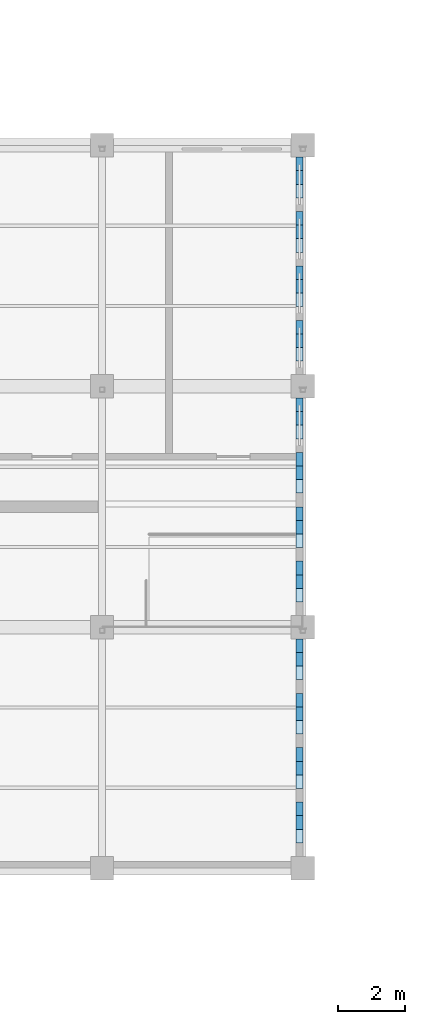
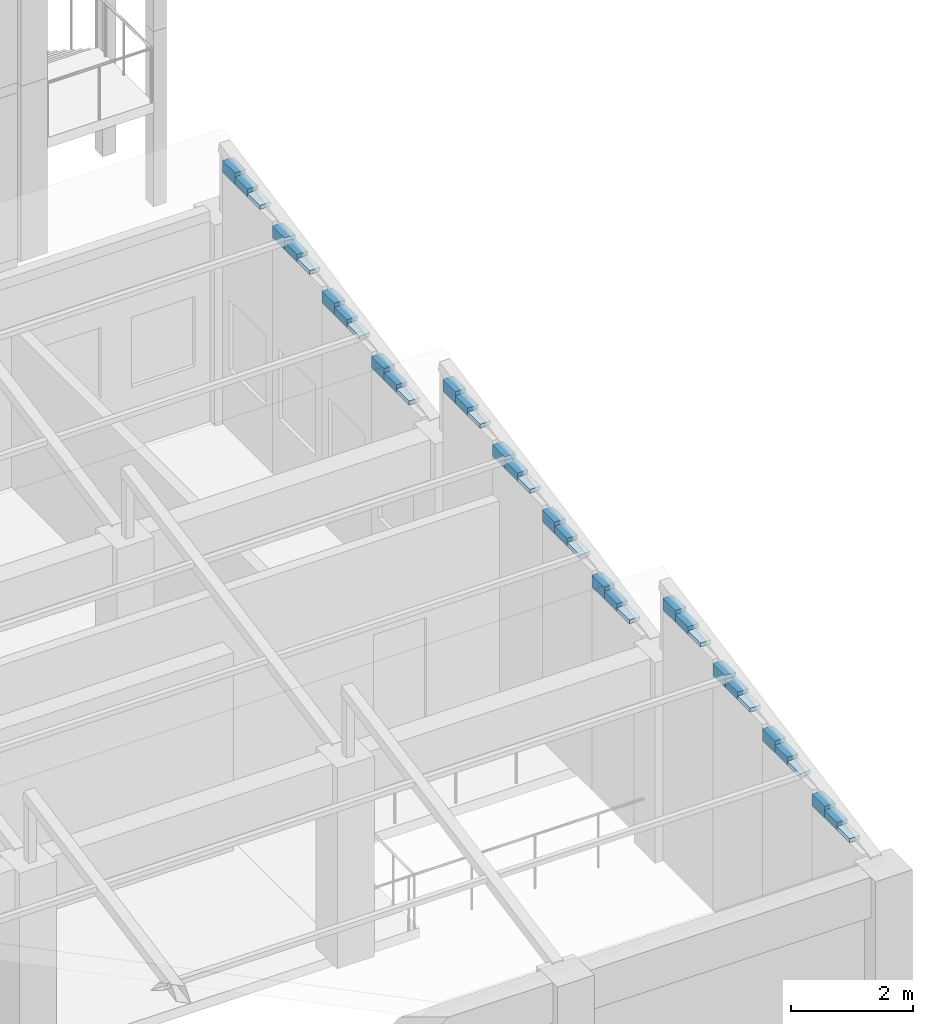
# One storey, part 61 of 103: 36 plates.
"""IFC4 building model written with IfcOpenShell, lengths in metres."""

from ifc_helpers import new_model, si_unit, direction, frame, origin, origin_2d, place, context, subcontext, project, spatial, rectangle, extrude, material, layer, layer_set, type_object, element, save


model = new_model("IFC4")

# Units and contexts
model_context = context("Model", 3, precision=1e-05, world=origin(), true_north=direction((0.0, 1.0)))
body_context = subcontext(model_context, "Body", "Model", "MODEL_VIEW")
ifc_project = project(units=[si_unit("LENGTHUNIT", "METRE"), si_unit("AREAUNIT", "SQUARE_METRE"), si_unit("VOLUMEUNIT", "CUBIC_METRE"), si_unit("PLANEANGLEUNIT", "RADIAN"), si_unit("MASSUNIT", "GRAM", prefix="KILO")], contexts=[model_context])

# Site, building, storey
site_placement = place(None, origin())
site = spatial("IfcSite", under=ifc_project, at=site_placement, CompositionType="ELEMENT")
building_placement = place(site_placement, origin())
building = spatial("IfcBuilding", under=site, at=building_placement, Name="Laocheng Heights Fire and Rescue Headquarters", CompositionType="ELEMENT")
storey_placement = place(building_placement, frame((0.0, 0.0, 4.199951171875)))
storey = spatial("IfcBuildingStorey", under=building, at=storey_placement, Name="L01", CompositionType="ELEMENT", Elevation=4.199951171875)

# Plates
ifc_material = material(Name="Aluminium profiled sheet cladding on insulated steel liner", Category="steel")
ifc_layer = layer(ifc_material, 0.199951171875)
ifc_layer_set = layer_set([ifc_layer], Name="Aluminium profiled sheet cladding on insulated steel liner")
plate_type = type_object("IfcPlateType", Name="SAWTOOTH END CLOSURE PLATE 200", PredefinedType="SHEET", material=ifc_layer_set)
plate_1_placement = place(storey_placement, frame((125.89990234375, 0.95947265625, 4.059326171875), z_axis=(0.0, 0.0, 1.0), x_axis=(1.0, 0.0, 0.0)))
element("IfcPlate", 1, at=plate_1_placement, inside=storey, type_object=plate_type, Name="Sawtooth end closure plate 01", PredefinedType="SHEET", context=body_context, shape_type="SweptSolid", body=[
    extrude(rectangle(XDim=0.199951171875, YDim=0.40625, at=origin_2d()), origin(), (0.0, 0.0, 1.0), 0.0791015625),
])
plate_2_placement = place(storey_placement, frame((125.89990234375, 1.365478515625, 4.0595703125), z_axis=(0.0, 0.0, 1.0), x_axis=(1.0, 0.0, 0.0)))
element("IfcPlate", 2, at=plate_2_placement, inside=storey, type_object=plate_type, Name="Sawtooth end closure plate 02", PredefinedType="SHEET", context=body_context, shape_type="SweptSolid", body=[
    extrude(rectangle(XDim=0.199951171875, YDim=0.40625, at=origin_2d()), origin(), (0.0, 0.0, 1.0), 0.157958984375),
])
plate_3_placement = place(storey_placement, frame((125.89990234375, 1.77197265625, 4.05908203125), z_axis=(0.0, 0.0, 1.0), x_axis=(1.0, 0.0, 0.0)))
element("IfcPlate", 3, at=plate_3_placement, inside=storey, type_object=plate_type, Name="Sawtooth end closure plate 03", PredefinedType="SHEET", context=body_context, shape_type="SweptSolid", body=[
    extrude(rectangle(XDim=0.199951171875, YDim=0.40625, at=origin_2d()), origin(), (0.0, 0.0, 1.0), 0.237060546875),
])
plate_4_placement = place(storey_placement, frame((125.89990234375, 2.58447265625, 4.375244140625), z_axis=(0.0, 0.0, 1.0), x_axis=(1.0, 0.0, 0.0)))
element("IfcPlate", 4, at=plate_4_placement, inside=storey, type_object=plate_type, Name="Sawtooth end closure plate 04", PredefinedType="SHEET", context=body_context, shape_type="SweptSolid", body=[
    extrude(rectangle(XDim=0.199951171875, YDim=0.40625, at=origin_2d()), origin(), (0.0, 0.0, 1.0), 0.0791015625),
])
plate_5_placement = place(storey_placement, frame((125.89990234375, 2.990478515625, 4.37548828125), z_axis=(0.0, 0.0, 1.0), x_axis=(1.0, 0.0, 0.0)))
element("IfcPlate", 5, at=plate_5_placement, inside=storey, type_object=plate_type, Name="Sawtooth end closure plate 05", PredefinedType="SHEET", context=body_context, shape_type="SweptSolid", body=[
    extrude(rectangle(XDim=0.199951171875, YDim=0.40625, at=origin_2d()), origin(), (0.0, 0.0, 1.0), 0.157958984375),
])
plate_6_placement = place(storey_placement, frame((125.89990234375, 3.39697265625, 4.37548828125), z_axis=(0.0, 0.0, 1.0), x_axis=(1.0, 0.0, 0.0)))
element("IfcPlate", 6, at=plate_6_placement, inside=storey, type_object=plate_type, Name="Sawtooth end closure plate 06", PredefinedType="SHEET", context=body_context, shape_type="SweptSolid", body=[
    extrude(rectangle(XDim=0.199951171875, YDim=0.40625, at=origin_2d()), origin(), (0.0, 0.0, 1.0), 0.237060546875),
])
plate_7_placement = place(storey_placement, frame((125.89990234375, 4.20947265625, 4.69140625), z_axis=(0.0, 0.0, 1.0), x_axis=(1.0, 0.0, 0.0)))
element("IfcPlate", 7, at=plate_7_placement, inside=storey, type_object=plate_type, Name="Sawtooth end closure plate 07", PredefinedType="SHEET", context=body_context, shape_type="SweptSolid", body=[
    extrude(rectangle(XDim=0.199951171875, YDim=0.40625, at=origin_2d()), origin(), (0.0, 0.0, 1.0), 0.078857421875),
])
plate_8_placement = place(storey_placement, frame((125.89990234375, 4.615478515625, 4.69140625), z_axis=(0.0, 0.0, 1.0), x_axis=(1.0, 0.0, 0.0)))
element("IfcPlate", 8, at=plate_8_placement, inside=storey, type_object=plate_type, Name="Sawtooth end closure plate 08", PredefinedType="SHEET", context=body_context, shape_type="SweptSolid", body=[
    extrude(rectangle(XDim=0.199951171875, YDim=0.40625, at=origin_2d()), origin(), (0.0, 0.0, 1.0), 0.157958984375),
])
plate_9_placement = place(storey_placement, frame((125.89990234375, 5.02197265625, 4.69140625), z_axis=(0.0, 0.0, 1.0), x_axis=(1.0, 0.0, 0.0)))
element("IfcPlate", 9, at=plate_9_placement, inside=storey, type_object=plate_type, Name="Sawtooth end closure plate 09", PredefinedType="SHEET", context=body_context, shape_type="SweptSolid", body=[
    extrude(rectangle(XDim=0.199951171875, YDim=0.40625, at=origin_2d()), origin(), (0.0, 0.0, 1.0), 0.23681640625),
])
plate_10_placement = place(storey_placement, frame((125.89990234375, 5.83447265625, 5.007080078125), z_axis=(0.0, 0.0, 1.0), x_axis=(1.0, 0.0, 0.0)))
element("IfcPlate", 10, at=plate_10_placement, inside=storey, type_object=plate_type, Name="Sawtooth end closure plate 10", PredefinedType="SHEET", context=body_context, shape_type="SweptSolid", body=[
    extrude(rectangle(XDim=0.199951171875, YDim=0.40625, at=origin_2d()), origin(), (0.0, 0.0, 1.0), 0.0791015625),
])
plate_11_placement = place(storey_placement, frame((125.89990234375, 6.240478515625, 5.00732421875), z_axis=(0.0, 0.0, 1.0), x_axis=(1.0, 0.0, 0.0)))
element("IfcPlate", 11, at=plate_11_placement, inside=storey, type_object=plate_type, Name="Sawtooth end closure plate 11", PredefinedType="SHEET", context=body_context, shape_type="SweptSolid", body=[
    extrude(rectangle(XDim=0.199951171875, YDim=0.40625, at=origin_2d()), origin(), (0.0, 0.0, 1.0), 0.157958984375),
])
plate_12_placement = place(storey_placement, frame((125.89990234375, 6.64697265625, 5.00732421875), z_axis=(0.0, 0.0, 1.0), x_axis=(1.0, 0.0, 0.0)))
element("IfcPlate", 12, at=plate_12_placement, inside=storey, type_object=plate_type, Name="Sawtooth end closure plate 12", PredefinedType="SHEET", context=body_context, shape_type="SweptSolid", body=[
    extrude(rectangle(XDim=0.199951171875, YDim=0.40625, at=origin_2d()), origin(), (0.0, 0.0, 1.0), 0.237060546875),
])
plate_13_placement = place(storey_placement, frame((125.89990234375, 8.159423828125, 4.059326171875), z_axis=(0.0, 0.0, 1.0), x_axis=(1.0, 0.0, 0.0)))
element("IfcPlate", 13, at=plate_13_placement, inside=storey, type_object=plate_type, Name="Sawtooth end closure plate 13", PredefinedType="SHEET", context=body_context, shape_type="SweptSolid", body=[
    extrude(rectangle(XDim=0.199951171875, YDim=0.40625, at=origin_2d()), origin(), (0.0, 0.0, 1.0), 0.0791015625),
])
plate_14_placement = place(storey_placement, frame((125.89990234375, 8.565673828125, 4.0595703125), z_axis=(0.0, 0.0, 1.0), x_axis=(1.0, 0.0, 0.0)))
element("IfcPlate", 14, at=plate_14_placement, inside=storey, type_object=plate_type, Name="Sawtooth end closure plate 14", PredefinedType="SHEET", context=body_context, shape_type="SweptSolid", body=[
    extrude(rectangle(XDim=0.199951171875, YDim=0.40625, at=origin_2d()), origin(), (0.0, 0.0, 1.0), 0.157958984375),
])
plate_15_placement = place(storey_placement, frame((125.89990234375, 8.971923828125, 4.05908203125), z_axis=(0.0, 0.0, 1.0), x_axis=(1.0, 0.0, 0.0)))
element("IfcPlate", 15, at=plate_15_placement, inside=storey, type_object=plate_type, Name="Sawtooth end closure plate 15", PredefinedType="SHEET", context=body_context, shape_type="SweptSolid", body=[
    extrude(rectangle(XDim=0.199951171875, YDim=0.40625, at=origin_2d()), origin(), (0.0, 0.0, 1.0), 0.237060546875),
])
plate_16_placement = place(storey_placement, frame((125.89990234375, 9.784423828125, 4.375244140625), z_axis=(0.0, 0.0, 1.0), x_axis=(1.0, 0.0, 0.0)))
element("IfcPlate", 16, at=plate_16_placement, inside=storey, type_object=plate_type, Name="Sawtooth end closure plate 16", PredefinedType="SHEET", context=body_context, shape_type="SweptSolid", body=[
    extrude(rectangle(XDim=0.199951171875, YDim=0.40625, at=origin_2d()), origin(), (0.0, 0.0, 1.0), 0.0791015625),
])
plate_17_placement = place(storey_placement, frame((125.89990234375, 10.190673828125, 4.37548828125), z_axis=(0.0, 0.0, 1.0), x_axis=(1.0, 0.0, 0.0)))
element("IfcPlate", 17, at=plate_17_placement, inside=storey, type_object=plate_type, Name="Sawtooth end closure plate 17", PredefinedType="SHEET", context=body_context, shape_type="SweptSolid", body=[
    extrude(rectangle(XDim=0.199951171875, YDim=0.40625, at=origin_2d()), origin(), (0.0, 0.0, 1.0), 0.157958984375),
])
plate_18_placement = place(storey_placement, frame((125.89990234375, 10.596923828125, 4.37548828125), z_axis=(0.0, 0.0, 1.0), x_axis=(1.0, 0.0, 0.0)))
element("IfcPlate", 18, at=plate_18_placement, inside=storey, type_object=plate_type, Name="Sawtooth end closure plate 18", PredefinedType="SHEET", context=body_context, shape_type="SweptSolid", body=[
    extrude(rectangle(XDim=0.199951171875, YDim=0.40625, at=origin_2d()), origin(), (0.0, 0.0, 1.0), 0.237060546875),
])
plate_19_placement = place(storey_placement, frame((125.89990234375, 11.409423828125, 4.69140625), z_axis=(0.0, 0.0, 1.0), x_axis=(1.0, 0.0, 0.0)))
element("IfcPlate", 19, at=plate_19_placement, inside=storey, type_object=plate_type, Name="Sawtooth end closure plate 19", PredefinedType="SHEET", context=body_context, shape_type="SweptSolid", body=[
    extrude(rectangle(XDim=0.199951171875, YDim=0.40625, at=origin_2d()), origin(), (0.0, 0.0, 1.0), 0.078857421875),
])
plate_20_placement = place(storey_placement, frame((125.89990234375, 11.815673828125, 4.69140625), z_axis=(0.0, 0.0, 1.0), x_axis=(1.0, 0.0, 0.0)))
element("IfcPlate", 20, at=plate_20_placement, inside=storey, type_object=plate_type, Name="Sawtooth end closure plate 20", PredefinedType="SHEET", context=body_context, shape_type="SweptSolid", body=[
    extrude(rectangle(XDim=0.199951171875, YDim=0.40625, at=origin_2d()), origin(), (0.0, 0.0, 1.0), 0.157958984375),
])
plate_21_placement = place(storey_placement, frame((125.89990234375, 12.221923828125, 4.69140625), z_axis=(0.0, 0.0, 1.0), x_axis=(1.0, 0.0, 0.0)))
element("IfcPlate", 21, at=plate_21_placement, inside=storey, type_object=plate_type, Name="Sawtooth end closure plate 21", PredefinedType="SHEET", context=body_context, shape_type="SweptSolid", body=[
    extrude(rectangle(XDim=0.199951171875, YDim=0.40625, at=origin_2d()), origin(), (0.0, 0.0, 1.0), 0.23681640625),
])
plate_22_placement = place(storey_placement, frame((125.89990234375, 13.034423828125, 5.007080078125), z_axis=(0.0, 0.0, 1.0), x_axis=(1.0, 0.0, 0.0)))
element("IfcPlate", 22, at=plate_22_placement, inside=storey, type_object=plate_type, Name="Sawtooth end closure plate 22", PredefinedType="SHEET", context=body_context, shape_type="SweptSolid", body=[
    extrude(rectangle(XDim=0.199951171875, YDim=0.40625, at=origin_2d()), origin(), (0.0, 0.0, 1.0), 0.0791015625),
])
plate_23_placement = place(storey_placement, frame((125.89990234375, 13.440673828125, 5.00732421875), z_axis=(0.0, 0.0, 1.0), x_axis=(1.0, 0.0, 0.0)))
element("IfcPlate", 23, at=plate_23_placement, inside=storey, type_object=plate_type, Name="Sawtooth end closure plate 23", PredefinedType="SHEET", context=body_context, shape_type="SweptSolid", body=[
    extrude(rectangle(XDim=0.199951171875, YDim=0.40625, at=origin_2d()), origin(), (0.0, 0.0, 1.0), 0.157958984375),
])
plate_24_placement = place(storey_placement, frame((125.89990234375, 13.846923828125, 5.00732421875), z_axis=(0.0, 0.0, 1.0), x_axis=(1.0, 0.0, 0.0)))
element("IfcPlate", 24, at=plate_24_placement, inside=storey, type_object=plate_type, Name="Sawtooth end closure plate 24", PredefinedType="SHEET", context=body_context, shape_type="SweptSolid", body=[
    extrude(rectangle(XDim=0.199951171875, YDim=0.40625, at=origin_2d()), origin(), (0.0, 0.0, 1.0), 0.237060546875),
])
plate_25_placement = place(storey_placement, frame((125.89990234375, 15.359375, 4.059326171875), z_axis=(0.0, 0.0, 1.0), x_axis=(1.0, 0.0, 0.0)))
element("IfcPlate", 25, at=plate_25_placement, inside=storey, type_object=plate_type, Name="Sawtooth end closure plate 25", PredefinedType="SHEET", context=body_context, shape_type="SweptSolid", body=[
    extrude(rectangle(XDim=0.199951171875, YDim=0.40625, at=origin_2d()), origin(), (0.0, 0.0, 1.0), 0.0791015625),
])
plate_26_placement = place(storey_placement, frame((125.89990234375, 15.765625, 4.0595703125), z_axis=(0.0, 0.0, 1.0), x_axis=(1.0, 0.0, 0.0)))
element("IfcPlate", 26, at=plate_26_placement, inside=storey, type_object=plate_type, Name="Sawtooth end closure plate 26", PredefinedType="SHEET", context=body_context, shape_type="SweptSolid", body=[
    extrude(rectangle(XDim=0.199951171875, YDim=0.40625, at=origin_2d()), origin(), (0.0, 0.0, 1.0), 0.157958984375),
])
plate_27_placement = place(storey_placement, frame((125.89990234375, 16.171875, 4.05908203125), z_axis=(0.0, 0.0, 1.0), x_axis=(1.0, 0.0, 0.0)))
element("IfcPlate", 27, at=plate_27_placement, inside=storey, type_object=plate_type, Name="Sawtooth end closure plate 27", PredefinedType="SHEET", context=body_context, shape_type="SweptSolid", body=[
    extrude(rectangle(XDim=0.199951171875, YDim=0.40625, at=origin_2d()), origin(), (0.0, 0.0, 1.0), 0.237060546875),
])
plate_28_placement = place(storey_placement, frame((125.89990234375, 16.984375, 4.375244140625), z_axis=(0.0, 0.0, 1.0), x_axis=(1.0, 0.0, 0.0)))
element("IfcPlate", 28, at=plate_28_placement, inside=storey, type_object=plate_type, Name="Sawtooth end closure plate 28", PredefinedType="SHEET", context=body_context, shape_type="SweptSolid", body=[
    extrude(rectangle(XDim=0.199951171875, YDim=0.40625, at=origin_2d()), origin(), (0.0, 0.0, 1.0), 0.0791015625),
])
plate_29_placement = place(storey_placement, frame((125.89990234375, 17.390625, 4.37548828125), z_axis=(0.0, 0.0, 1.0), x_axis=(1.0, 0.0, 0.0)))
element("IfcPlate", 29, at=plate_29_placement, inside=storey, type_object=plate_type, Name="Sawtooth end closure plate 29", PredefinedType="SHEET", context=body_context, shape_type="SweptSolid", body=[
    extrude(rectangle(XDim=0.199951171875, YDim=0.40625, at=origin_2d()), origin(), (0.0, 0.0, 1.0), 0.157958984375),
])
plate_30_placement = place(storey_placement, frame((125.89990234375, 17.796875, 4.37548828125), z_axis=(0.0, 0.0, 1.0), x_axis=(1.0, 0.0, 0.0)))
element("IfcPlate", 30, at=plate_30_placement, inside=storey, type_object=plate_type, Name="Sawtooth end closure plate 30", PredefinedType="SHEET", context=body_context, shape_type="SweptSolid", body=[
    extrude(rectangle(XDim=0.199951171875, YDim=0.40625, at=origin_2d()), origin(), (0.0, 0.0, 1.0), 0.237060546875),
])
plate_31_placement = place(storey_placement, frame((125.89990234375, 18.609375, 4.69140625), z_axis=(0.0, 0.0, 1.0), x_axis=(1.0, 0.0, 0.0)))
element("IfcPlate", 31, at=plate_31_placement, inside=storey, type_object=plate_type, Name="Sawtooth end closure plate 31", PredefinedType="SHEET", context=body_context, shape_type="SweptSolid", body=[
    extrude(rectangle(XDim=0.199951171875, YDim=0.40625, at=origin_2d()), origin(), (0.0, 0.0, 1.0), 0.078857421875),
])
plate_32_placement = place(storey_placement, frame((125.89990234375, 19.015625, 4.69140625), z_axis=(0.0, 0.0, 1.0), x_axis=(1.0, 0.0, 0.0)))
element("IfcPlate", 32, at=plate_32_placement, inside=storey, type_object=plate_type, Name="Sawtooth end closure plate 32", PredefinedType="SHEET", context=body_context, shape_type="SweptSolid", body=[
    extrude(rectangle(XDim=0.199951171875, YDim=0.40625, at=origin_2d()), origin(), (0.0, 0.0, 1.0), 0.157958984375),
])
plate_33_placement = place(storey_placement, frame((125.89990234375, 19.421875, 4.69140625), z_axis=(0.0, 0.0, 1.0), x_axis=(1.0, 0.0, 0.0)))
element("IfcPlate", 33, at=plate_33_placement, inside=storey, type_object=plate_type, Name="Sawtooth end closure plate 33", PredefinedType="SHEET", context=body_context, shape_type="SweptSolid", body=[
    extrude(rectangle(XDim=0.199951171875, YDim=0.40625, at=origin_2d()), origin(), (0.0, 0.0, 1.0), 0.23681640625),
])
plate_34_placement = place(storey_placement, frame((125.89990234375, 20.234375, 5.007080078125), z_axis=(0.0, 0.0, 1.0), x_axis=(1.0, 0.0, 0.0)))
element("IfcPlate", 34, at=plate_34_placement, inside=storey, type_object=plate_type, Name="Sawtooth end closure plate 34", PredefinedType="SHEET", context=body_context, shape_type="SweptSolid", body=[
    extrude(rectangle(XDim=0.199951171875, YDim=0.40625, at=origin_2d()), origin(), (0.0, 0.0, 1.0), 0.0791015625),
])
plate_35_placement = place(storey_placement, frame((125.89990234375, 20.640625, 5.00732421875), z_axis=(0.0, 0.0, 1.0), x_axis=(1.0, 0.0, 0.0)))
element("IfcPlate", 35, at=plate_35_placement, inside=storey, type_object=plate_type, Name="Sawtooth end closure plate 35", PredefinedType="SHEET", context=body_context, shape_type="SweptSolid", body=[
    extrude(rectangle(XDim=0.199951171875, YDim=0.40625, at=origin_2d()), origin(), (0.0, 0.0, 1.0), 0.157958984375),
])
plate_36_placement = place(storey_placement, frame((125.89990234375, 21.046875, 5.00732421875), z_axis=(0.0, 0.0, 1.0), x_axis=(1.0, 0.0, 0.0)))
element("IfcPlate", 36, at=plate_36_placement, inside=storey, type_object=plate_type, Name="Sawtooth end closure plate 36", PredefinedType="SHEET", context=body_context, shape_type="SweptSolid", body=[
    extrude(rectangle(XDim=0.199951171875, YDim=0.40625, at=origin_2d()), origin(), (0.0, 0.0, 1.0), 0.237060546875),
])

save(model, "model.ifc")
